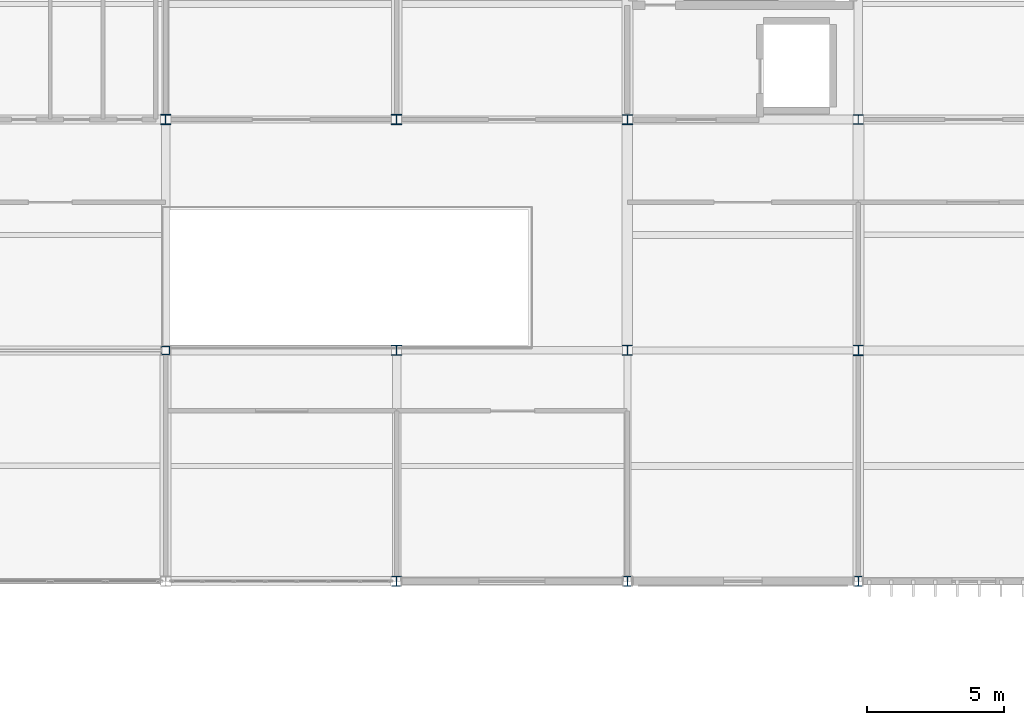
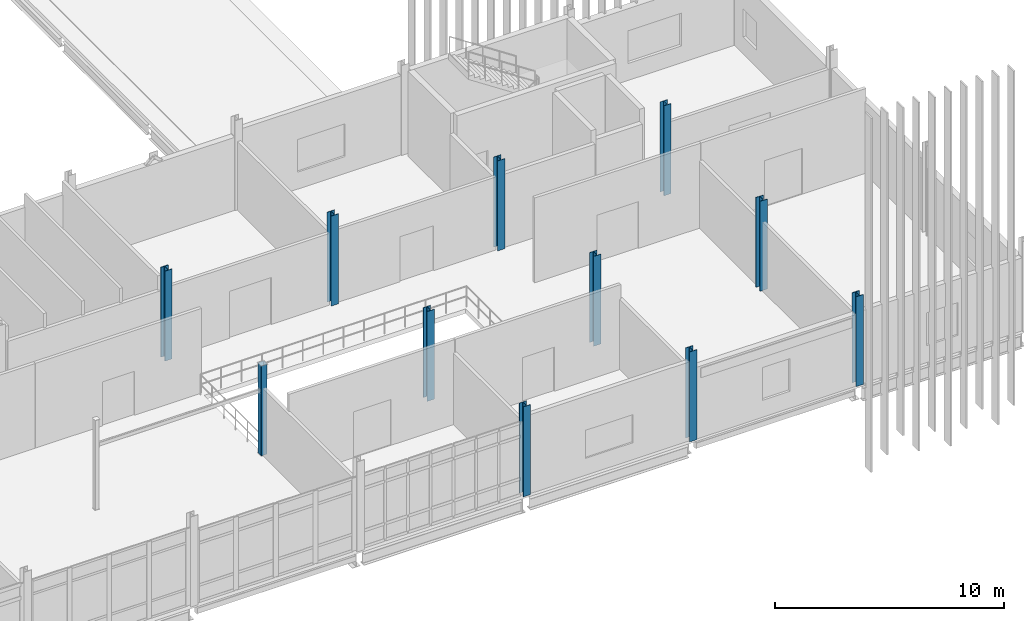
# One storey, part 2 of 72: 11 columns.
"""IFC4 building model written with IfcOpenShell, lengths in metres."""

from ifc_helpers import new_model, si_unit, direction, frame, origin, origin_2d, place, context, subcontext, project, spatial, hollow_rectangle, i_section, extrude, material, material_profile, profile_set, type_object, element, save


model = new_model("IFC4")

# Units and contexts
model_context = context("Model", 3, precision=1e-05, world=origin(), true_north=direction((0.0, 1.0)))
body_context = subcontext(model_context, "Body", "Model", "MODEL_VIEW")
ifc_project = project(units=[si_unit("LENGTHUNIT", "METRE"), si_unit("AREAUNIT", "SQUARE_METRE"), si_unit("VOLUMEUNIT", "CUBIC_METRE"), si_unit("PLANEANGLEUNIT", "RADIAN"), si_unit("MASSUNIT", "GRAM", prefix="KILO")], contexts=[model_context])

# Site, building, storey
site_placement = place(None, origin())
site = spatial("IfcSite", under=ifc_project, at=site_placement, CompositionType="ELEMENT")
building_placement = place(site_placement, origin())
building = spatial("IfcBuilding", under=site, at=building_placement, Name="Calvrana Isthmian Art Gallery", CompositionType="ELEMENT")
storey_placement = place(building_placement, frame((0.0, 0.0, 15.0)))
storey = spatial("IfcBuildingStorey", under=building, at=storey_placement, Name="L03", CompositionType="ELEMENT", Elevation=15.0)

# Columns
ifc_material_1 = material(Name="Steel ASTM A500 Gr C", Category="steel")
ifc_material_profile_1 = material_profile(ifc_material_1, hollow_rectangle(XDim=0.3046875, YDim=0.3046875, WallThickness=0.015869140625, OuterFilletRadius=0.031982421875, at=origin_2d()), Name="HSS305X305X15.9")
ifc_profile_set_1 = profile_set([ifc_material_profile_1], Name="Steel ASTM A500 Gr C")
column_type_1 = type_object("IfcColumnType", Name="COL-STL-HSS305X305X15.9", PredefinedType="COLUMN", material=ifc_profile_set_1)
column_placement = place(storey_placement, frame((46.800048828125, 30.0, 0.0), z_axis=(0.0, 0.0, 1.0), x_axis=(1.0, 0.0, 0.0)))
element("IfcColumn", 1, at=column_placement, inside=storey, type_object=column_type_1, Name="Column 07/E L03", PredefinedType="COLUMN", context=body_context, shape_type="SweptSolid", body=[
    extrude(hollow_rectangle(XDim=0.3046875, YDim=0.3046875, WallThickness=0.015869140625, OuterFilletRadius=0.031982421875, at=origin_2d()), origin(), (0.0, 0.0, 1.0), 4.800048828125),
])
ifc_material_2 = material(Name="Steel ASTM A992 Gr 50", Category="steel")
ifc_material_profile_2 = material_profile(ifc_material_2, i_section(OverallWidth=0.37109375, OverallDepth=0.363037109375, WebThickness=0.01318359375, FlangeThickness=0.021728515625, FilletRadius=0.02490234375, at=origin_2d()), Name="W14X109")
ifc_profile_set_2 = profile_set([ifc_material_profile_2], Name="Steel ASTM A992 Gr 50")
column_type_2 = type_object("IfcColumnType", Name="COL-STL-W14X109", PredefinedType="COLUMN", material=ifc_profile_set_2)
for number, where, z_axis, x_axis, name in (
    (2, (55.199951171875, 30.0, 0.0), (0.0, 0.0, 1.0), (1.0, 0.0, 0.0), "Column 08/E L03"),
    (3, (63.60009765625, 38.39990234375, 0.0), (0.0, 0.0, 1.0), (1.0, 0.0, 0.0), "Column 09/F L03"),
):
    element("IfcColumn", number, at=place(storey_placement, frame(where, z_axis=z_axis, x_axis=x_axis)), inside=storey, type_object=column_type_2, Name=name, PredefinedType="COLUMN", context=body_context, shape_type="SweptSolid", body=[
        extrude(i_section(OverallWidth=0.37109375, OverallDepth=0.363037109375, WebThickness=0.01318359375, FlangeThickness=0.021728515625, FilletRadius=0.02490234375, at=origin_2d()), origin(), (0.0, 0.0, 1.0), 4.800048828125),
    ])
ifc_material_profile_3 = material_profile(ifc_material_2, i_section(OverallWidth=0.373046875, OverallDepth=0.367919921875, WebThickness=0.014892578125, FlangeThickness=0.02392578125, FilletRadius=0.02490234375, at=origin_2d()), Name="W14X120")
ifc_profile_set_3 = profile_set([ifc_material_profile_3], Name="Steel ASTM A992 Gr 50")
column_type_3 = type_object("IfcColumnType", Name="COL-STL-W14X120", PredefinedType="COLUMN", material=ifc_profile_set_3)
for number, where, z_axis, x_axis, name in (
    (4, (55.199951171875, 38.39990234375, 0.0), (0.0, 0.0, 1.0), (1.0, 0.0, 0.0), "Column 08/F L03"),
    (5, (72.0, 21.60009765625, 0.0), (0.0, 0.0, 1.0), (1.0, 0.0, 0.0), "Column 10/D L03"),
):
    element("IfcColumn", number, at=place(storey_placement, frame(where, z_axis=z_axis, x_axis=x_axis)), inside=storey, type_object=column_type_3, Name=name, PredefinedType="COLUMN", context=body_context, shape_type="SweptSolid", body=[
        extrude(i_section(OverallWidth=0.373046875, OverallDepth=0.367919921875, WebThickness=0.014892578125, FlangeThickness=0.02392578125, FilletRadius=0.02490234375, at=origin_2d()), origin(), (0.0, 0.0, 1.0), 4.800048828125),
    ])
ifc_material_profile_4 = material_profile(ifc_material_2, i_section(OverallWidth=0.373046875, OverallDepth=0.373046875, WebThickness=0.016357421875, FlangeThickness=0.026123046875, FilletRadius=0.02490234375, at=origin_2d()), Name="W14X132")
ifc_profile_set_4 = profile_set([ifc_material_profile_4], Name="Steel ASTM A992 Gr 50")
column_type_4 = type_object("IfcColumnType", Name="COL-STL-W14X132", PredefinedType="COLUMN", material=ifc_profile_set_4)
for number, where, z_axis, x_axis, name in (
    (6, (46.800048828125, 38.39990234375, 0.0), (0.0, 0.0, 1.0), (1.0, 0.0, 0.0), "Column 07/F L03"),
    (7, (63.60009765625, 21.60009765625, 0.0), (0.0, 0.0, 1.0), (1.0, 0.0, 0.0), "Column 09/D L03"),
    (8, (72.0, 30.0, 0.0), (0.0, 0.0, 1.0), (1.0, 0.0, 0.0), "Column 10/E L03"),
):
    element("IfcColumn", number, at=place(storey_placement, frame(where, z_axis=z_axis, x_axis=x_axis)), inside=storey, type_object=column_type_4, Name=name, PredefinedType="COLUMN", context=body_context, shape_type="SweptSolid", body=[
        extrude(i_section(OverallWidth=0.373046875, OverallDepth=0.373046875, WebThickness=0.016357421875, FlangeThickness=0.026123046875, FilletRadius=0.02490234375, at=origin_2d()), origin(), (0.0, 0.0, 1.0), 4.800048828125),
    ])
ifc_material_profile_5 = material_profile(ifc_material_2, i_section(OverallWidth=0.367919921875, OverallDepth=0.35595703125, WebThickness=0.01123046875, FlangeThickness=0.01806640625, FilletRadius=0.02490234375, at=origin_2d()), Name="W14X90")
ifc_profile_set_5 = profile_set([ifc_material_profile_5], Name="Steel ASTM A992 Gr 50")
column_type_5 = type_object("IfcColumnType", Name="COL-STL-W14X90", PredefinedType="COLUMN", material=ifc_profile_set_5)
for number, where, z_axis, x_axis, name in (
    (9, (55.199951171875, 21.60009765625, 0.0), (0.0, 0.0, 1.0), (1.0, 0.0, 0.0), "Column 08/D L03"),
    (10, (63.60009765625, 30.0, 0.0), (0.0, 0.0, 1.0), (1.0, 0.0, 0.0), "Column 09/E L03"),
    (11, (72.0, 38.39990234375, 0.0), (0.0, 0.0, 1.0), (1.0, 0.0, 0.0), "Column 10/F L03"),
):
    element("IfcColumn", number, at=place(storey_placement, frame(where, z_axis=z_axis, x_axis=x_axis)), inside=storey, type_object=column_type_5, Name=name, PredefinedType="COLUMN", context=body_context, shape_type="SweptSolid", body=[
        extrude(i_section(OverallWidth=0.367919921875, OverallDepth=0.35595703125, WebThickness=0.01123046875, FlangeThickness=0.01806640625, FilletRadius=0.02490234375, at=origin_2d()), origin(), (0.0, 0.0, 1.0), 4.800048828125),
    ])

save(model, "model.ifc")
